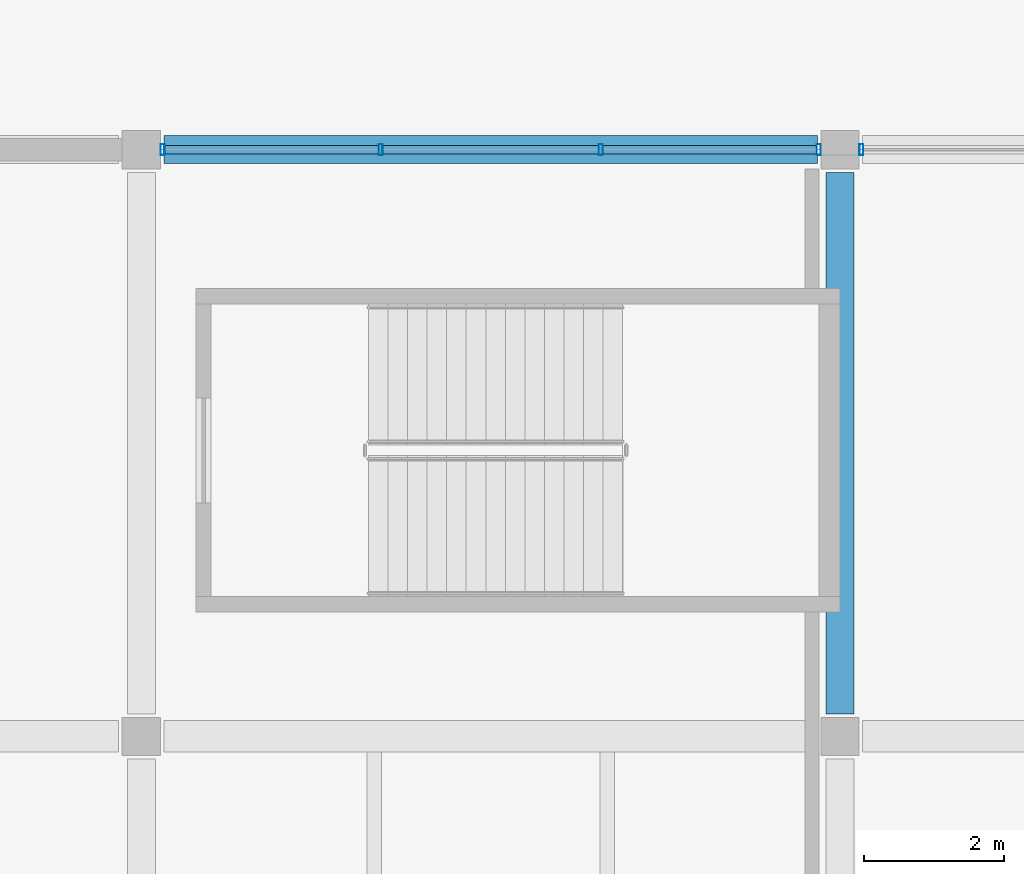
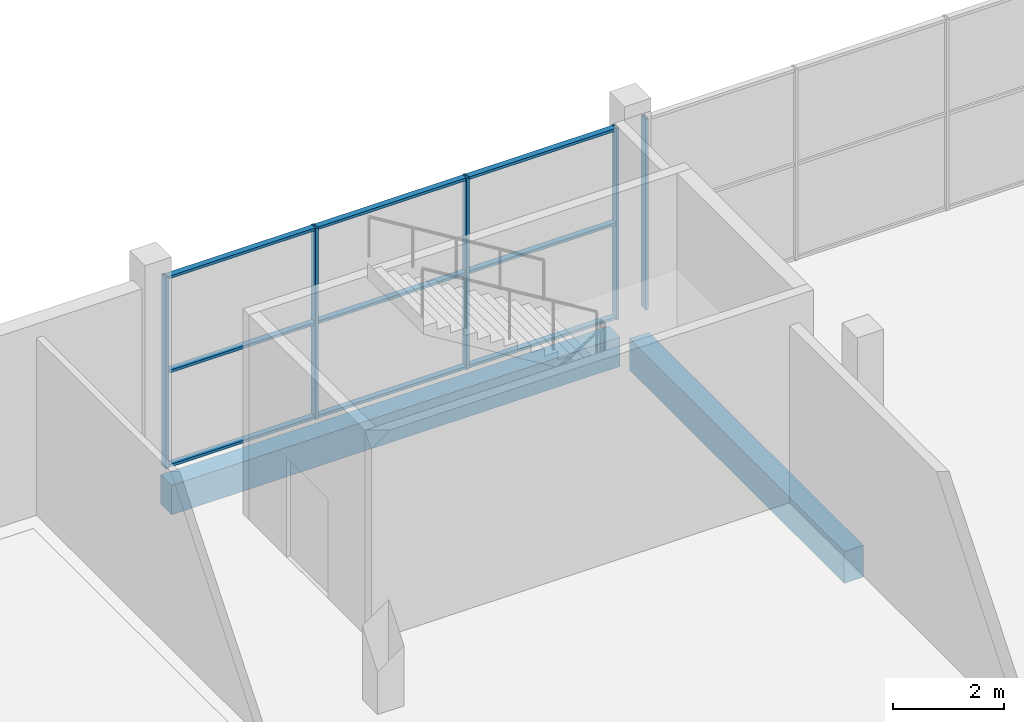
# One storey, part 77 of 130: 14 members, 2 beams, 2 elements without a shape of their own.
"""IFC4 building model written with IfcOpenShell, lengths in metres."""

import ifcopenshell
import ifcopenshell.guid

model = None  # the IFC model being written
_history = None  # IfcOwnerHistory: only IFC2X3 demands one
_inside = {}  # id of a spatial element -> (the spatial element, [elements in it])
_under = {}  # id of a project, library or spatial element -> (it, [spatial elements below it])
_declared = {}  # id of a project -> (the project, [libraries it declares])
_typed = {}  # id of a type object -> (the type object, [elements of that type])
_made_of = {}  # id of a material, layer set ... -> (it, [elements and type objects made of it])


def new_model(schema):
    """Start an empty IFC model of exactly this schema.

    Asked for "IFC4X3", IfcOpenShell would pick the latest addendum, in which some entities
    have other attributes; the version numbers below select the first issue.
    IFC2X3 requires an IfcOwnerHistory on every rooted entity: one is made here for all.
    """
    global model, _history
    if schema == "IFC4X3":
        model = ifcopenshell.file(schema_version=(4, 3, 0, 0))
    else:
        model = ifcopenshell.file(schema=schema)
    _inside.clear()
    _under.clear()
    _declared.clear()
    _typed.clear()
    _made_of.clear()
    _history = None
    if model.schema == "IFC2X3":
        org = make("IfcOrganization", Name="unknown")
        user = make(
            "IfcPersonAndOrganization",
            ThePerson=make("IfcPerson", FamilyName="unknown"),
            TheOrganization=org,
        )
        app = make(
            "IfcApplication",
            ApplicationDeveloper=org,
            Version="unknown",
            ApplicationFullName="unknown",
            ApplicationIdentifier="unknown",
        )
        _history = make(
            "IfcOwnerHistory",
            OwningUser=user,
            OwningApplication=app,
            ChangeAction="ADDED",
            CreationDate=0,
        )
    return model


def make(cls, **values):
    """One entity of the class cls with the attributes given. An attribute that is None is left unset."""
    return model.create_entity(
        cls, **{name: value for name, value in values.items() if value is not None}
    )


def rooted(cls, **values):
    """An entity with a GlobalId (a new one), such as an element, a storey or a relation."""
    return make(cls, GlobalId=ifcopenshell.guid.new(), OwnerHistory=_history, **values)


def si_unit(unit_type, name, prefix=None):
    """IfcSIUnit, for example si_unit("LENGTHUNIT", "METRE", prefix="MILLI")."""
    return make("IfcSIUnit", UnitType=unit_type, Prefix=prefix, Name=name)


def assignment(units):
    """IfcUnitAssignment: the units of a project."""
    return None if units is None else make("IfcUnitAssignment", Units=units)


def point(xyz):
    """IfcCartesianPoint."""
    return None if xyz is None else make("IfcCartesianPoint", Coordinates=xyz)


def direction(xyz):
    """IfcDirection."""
    return None if xyz is None else make("IfcDirection", DirectionRatios=xyz)


def frame(location, z_axis=None, x_axis=None):
    """IfcAxis2Placement3D, a coordinate frame: its origin and axes. An axis left out is left unset."""
    return make(
        "IfcAxis2Placement3D",
        Location=point(location),
        Axis=direction(z_axis),
        RefDirection=direction(x_axis),
    )


def frame_2d(location, x_axis=None):
    """IfcAxis2Placement2D, a coordinate frame in the plane: its origin and x axis."""
    return make(
        "IfcAxis2Placement2D", Location=point(location), RefDirection=direction(x_axis)
    )


def origin():
    """The frame at (0, 0, 0) with its axes left unset."""
    return frame((0.0, 0.0, 0.0))


def origin_2d():
    """The frame at (0, 0) in the plane with its x axis left unset."""
    return frame_2d((0.0, 0.0))


def place(relative_to, where):
    """IfcLocalPlacement: puts the frame where relative to a parent placement (None: the world)."""
    return make(
        "IfcLocalPlacement", PlacementRelTo=relative_to, RelativePlacement=where
    )


def context(
    kind, dimensions, precision=None, world=None, true_north=None, identifier=None
):
    """IfcGeometricRepresentationContext, for example the 3D "Model" context."""
    return make(
        "IfcGeometricRepresentationContext",
        ContextIdentifier=identifier,
        ContextType=kind,
        CoordinateSpaceDimension=dimensions,
        Precision=precision,
        WorldCoordinateSystem=world,
        TrueNorth=true_north,
    )


def subcontext(parent, identifier, kind, view, scale=None):
    """IfcGeometricRepresentationSubContext, for example "Body" below "Model"."""
    return make(
        "IfcGeometricRepresentationSubContext",
        ContextIdentifier=identifier,
        ContextType=kind,
        ParentContext=parent,
        TargetScale=scale,
        TargetView=view,
    )


def project(units=None, contexts=None):
    """IfcProject with its units and contexts."""
    return rooted(
        "IfcProject",
        Name="project",
        RepresentationContexts=contexts,
        UnitsInContext=assignment(units),
    )


def spatial(cls, under=None, at=None, **own):
    """A site, building, storey or space (cls), placed at a placement, below another one or the project."""
    s = rooted(cls, ObjectPlacement=at, **own)
    if under is not None:
        _under.setdefault(under.id(), (under, []))[1].append(s)
    return s


def profile(cls, at=None, kind="AREA", **sizes):
    """A parametric profile (cls). Its sizes go by their IFC names, for example OverallWidth=200.0."""
    return make(cls, ProfileType=kind, Position=at, **sizes)


def rectangle(**sizes):
    """IfcRectangleProfileDef."""
    return profile("IfcRectangleProfileDef", **sizes)


def hollow_rectangle(**sizes):
    """IfcRectangleHollowProfileDef."""
    return profile("IfcRectangleHollowProfileDef", **sizes)


def extrude(swept, where, along, depth):
    """IfcExtrudedAreaSolid: the profile swept, set in the frame where, extruded along a direction by depth."""
    return make(
        "IfcExtrudedAreaSolid",
        SweptArea=swept,
        Position=where,
        ExtrudedDirection=direction(along),
        Depth=depth,
    )


def shape(context_of_items, identifier, shape_type, items):
    """IfcShapeRepresentation: the items that make up one representation, for example the "Body"."""
    return make(
        "IfcShapeRepresentation",
        ContextOfItems=context_of_items,
        RepresentationIdentifier=identifier,
        RepresentationType=shape_type,
        Items=items,
    )


def material(Name=None, Category=None):
    """IfcMaterial."""
    return make("IfcMaterial", Name=Name, Category=Category)


def material_profile(
    of_material, cross_section, Name=None, Category=None, Priority=None
):
    """IfcMaterialProfile: a cross section and its material."""
    return make(
        "IfcMaterialProfile",
        Name=Name,
        Material=of_material,
        Profile=cross_section,
        Priority=Priority,
        Category=Category,
    )


def profile_set(profiles, Name=None, composite=None):
    """IfcMaterialProfileSet."""
    return make(
        "IfcMaterialProfileSet",
        Name=Name,
        MaterialProfiles=profiles,
        CompositeProfile=composite,
    )


def made_of(thing, what):
    """Note that an element or type object is made of a material, layer set ...; save() writes the relation."""
    if what is not None:
        _made_of.setdefault(what.id(), (what, []))[1].append(thing)
    return thing


def type_object(cls, material=None, **own):
    """A type object (cls), such as IfcWallType, which elements share."""
    return made_of(rooted(cls, **own), material)


def element(
    cls,
    number,
    at=None,
    inside=None,
    cuts=None,
    type_object=None,
    material=None,
    context=None,
    identifier="Body",
    shape_type=None,
    held_by="IfcProductDefinitionShape",
    body=None,
    shapes=None,
    **own,
):
    """One element of the class cls, such as IfcWall. Its Tag is "e" and its number.

    at: its placement. inside: the storey or other place that contains it. cuts: it is an
    opening in that element (IfcRelVoidsElement). A single representation is given by context,
    identifier, shape_type and body (its items); several are given by shapes. held_by: the class
    of the entity that holds the representations. save() writes the other relations.
    """
    e = rooted(cls, Tag="e%d" % number, ObjectPlacement=at, **own)
    if body is not None:
        shapes = [shape(context, identifier, shape_type, body)]
    if shapes is not None:
        e.Representation = make(held_by, Representations=shapes)
    if inside is not None:
        _inside.setdefault(inside.id(), (inside, []))[1].append(e)
    if cuts is not None:
        rooted(
            "IfcRelVoidsElement", RelatingBuildingElement=cuts, RelatedOpeningElement=e
        )
    if type_object is not None:
        _typed.setdefault(type_object.id(), (type_object, []))[1].append(e)
    return made_of(e, material)


def aggregate(whole, parts):
    """IfcRelAggregates: a whole, such as a stair, and the parts it consists of."""
    return rooted("IfcRelAggregates", RelatingObject=whole, RelatedObjects=parts)


def save(model, path):
    """Write the relations noted so far, then the file.

    IfcRelAggregates (storeys below a building ...), IfcRelContainedInSpatialStructure (elements
    in a storey), IfcRelDefinesByType, IfcRelAssociatesMaterial and IfcRelDeclares: one each for
    every whole, place, type object, material and project.
    """
    for whole, parts in _under.values():
        aggregate(whole, parts)
    for where, things in _inside.values():
        rooted(
            "IfcRelContainedInSpatialStructure",
            RelatedElements=things,
            RelatingStructure=where,
        )
    for kind, things in _typed.values():
        rooted("IfcRelDefinesByType", RelatedObjects=things, RelatingType=kind)
    for what, things in _made_of.values():
        rooted("IfcRelAssociatesMaterial", RelatedObjects=things, RelatingMaterial=what)
    for by, libraries in _declared.values():
        rooted("IfcRelDeclares", RelatingContext=by, RelatedDefinitions=libraries)
    model.write(path)


model = new_model("IFC4")

# Units and contexts
model_context = context("Model", 3, precision=1e-05, world=origin(), true_north=direction((0.0, 1.0)))
body_context = subcontext(model_context, "Body", "Model", "MODEL_VIEW")
ifc_project = project(units=[si_unit("LENGTHUNIT", "METRE"), si_unit("AREAUNIT", "SQUARE_METRE"), si_unit("VOLUMEUNIT", "CUBIC_METRE"), si_unit("PLANEANGLEUNIT", "RADIAN"), si_unit("MASSUNIT", "GRAM", prefix="KILO"), si_unit("THERMODYNAMICTEMPERATUREUNIT", "KELVIN")], contexts=[model_context])

# Site, building, storey
site_placement = place(None, origin())
site = spatial("IfcSite", under=ifc_project, at=site_placement, CompositionType="ELEMENT")
building_placement = place(site_placement, origin())
building = spatial("IfcBuilding", under=site, at=building_placement, Name="Nduvali Passage Aquatics Centre", CompositionType="ELEMENT")
storey_placement = place(building_placement, origin())
storey = spatial("IfcBuildingStorey", under=building, at=storey_placement, Name="L00", CompositionType="ELEMENT", Elevation=0.0)

# Curtain wall, members
ifc_material_1 = material(Name="Aluminium EN AW-6063 T6", Category="aluminium")
curtain_wall_type = type_object("IfcCurtainWallType", Name="ENV-CW-PASS", PredefinedType="NOTDEFINED", material=ifc_material_1)
curtain_wall_1_placement = place(storey_placement, origin())
curtain_wall_1 = element("IfcCurtainWall", 1, at=curtain_wall_1_placement, inside=storey, type_object=curtain_wall_type, Name="L00 North Cafe CW 095", PredefinedType="NOTDEFINED")
ifc_material_profile_1 = material_profile(ifc_material_1, hollow_rectangle(XDim=0.06005859375, YDim=0.159912109375, WallThickness=0.00390625, at=origin_2d()), Name="ALU MULLION 60x160x4")
ifc_profile_set_1 = profile_set([ifc_material_profile_1], Name="Aluminium EN AW-6063 T6")
member_type_1 = type_object("IfcMemberType", Name="ENV-MEM-MUL60", PredefinedType="MULLION", material=ifc_profile_set_1)
member_1_placement = place(storey_placement, frame((148.304931640625, 92.39990234375, 0.0), z_axis=(0.0, 0.0, 1.0), x_axis=(1.0, 0.0, 0.0)))
member_1 = element("IfcMember", 2, at=member_1_placement, type_object=member_type_1, Name="North Cafe CW Mullion 1", PredefinedType="MULLION", context=body_context, shape_type="SweptSolid", body=[
    extrude(hollow_rectangle(XDim=0.06005859375, YDim=0.159912109375, WallThickness=0.00390625, at=origin_2d()), origin(), (0.0, 0.0, 1.0), 4.216064453125),
])
member_2_placement = place(storey_placement, frame((151.425048828125, 92.39990234375, 0.0), z_axis=(0.0, 0.0, 1.0), x_axis=(1.0, 0.0, 0.0)))
member_2 = element("IfcMember", 3, at=member_2_placement, type_object=member_type_1, Name="North Cafe CW Mullion 2", PredefinedType="MULLION", context=body_context, shape_type="SweptSolid", body=[
    extrude(hollow_rectangle(XDim=0.06005859375, YDim=0.159912109375, WallThickness=0.00390625, at=origin_2d()), origin(), (0.0, 0.0, 1.0), 4.216064453125),
])
member_3_placement = place(storey_placement, frame((154.574951171875, 92.39990234375, 0.0), z_axis=(0.0, 0.0, 1.0), x_axis=(1.0, 0.0, 0.0)))
member_3 = element("IfcMember", 4, at=member_3_placement, type_object=member_type_1, Name="North Cafe CW Mullion 3", PredefinedType="MULLION", context=body_context, shape_type="SweptSolid", body=[
    extrude(hollow_rectangle(XDim=0.06005859375, YDim=0.159912109375, WallThickness=0.00390625, at=origin_2d()), origin(), (0.0, 0.0, 1.0), 4.216064453125),
])
member_4_placement = place(storey_placement, frame((157.695068359375, 92.39990234375, 0.0), z_axis=(0.0, 0.0, 1.0), x_axis=(1.0, 0.0, 0.0)))
member_4 = element("IfcMember", 5, at=member_4_placement, type_object=member_type_1, Name="North Cafe CW Mullion 4", PredefinedType="MULLION", context=body_context, shape_type="SweptSolid", body=[
    extrude(hollow_rectangle(XDim=0.06005859375, YDim=0.159912109375, WallThickness=0.00390625, at=origin_2d()), origin(), (0.0, 0.0, 1.0), 4.216064453125),
])

# Curtain wall, member
curtain_wall_2_placement = place(storey_placement, origin())
curtain_wall_2 = element("IfcCurtainWall", 6, at=curtain_wall_2_placement, inside=storey, type_object=curtain_wall_type, Name="L00 North Cafe CW 097", PredefinedType="NOTDEFINED")
member_5_placement = place(storey_placement, frame((158.304931640625, 92.39990234375, 0.0), z_axis=(0.0, 0.0, 1.0), x_axis=(1.0, 0.0, 0.0)))
member_5 = element("IfcMember", 7, at=member_5_placement, type_object=member_type_1, Name="North Cafe CW Mullion 1", PredefinedType="MULLION", context=body_context, shape_type="SweptSolid", body=[
    extrude(hollow_rectangle(XDim=0.06005859375, YDim=0.159912109375, WallThickness=0.00390625, at=origin_2d()), origin(), (0.0, 0.0, 1.0), 4.216064453125),
])
aggregate(curtain_wall_2, [member_5])

# Member
ifc_material_profile_2 = material_profile(ifc_material_1, hollow_rectangle(XDim=0.1201171875, YDim=0.06005859375, WallThickness=0.00390625, at=origin_2d()), Name="ALU TRANSOM 120x60x4")
ifc_profile_set_2 = profile_set([ifc_material_profile_2], Name="Aluminium EN AW-6063 T6")
member_type_2 = type_object("IfcMemberType", Name="ENV-MEM-TRN60", PredefinedType="USERDEFINED", material=ifc_profile_set_2)
member_6_placement = place(storey_placement, frame((148.3349609375, 92.39990234375, 0.030029296875), z_axis=(1.0, 0.0, 0.0), x_axis=(0.0, 1.0, 0.0)))
member_6 = element("IfcMember", 8, at=member_6_placement, type_object=member_type_2, Name="North Cafe CW Transom B1-R0", ObjectType="TRANSOM", PredefinedType="USERDEFINED", context=body_context, shape_type="SweptSolid", body=[
    extrude(hollow_rectangle(XDim=0.1201171875, YDim=0.06005859375, WallThickness=0.00390625, at=origin_2d()), origin(), (0.0, 0.0, 1.0), 3.06005859375),
])

member_7_placement = place(storey_placement, frame((148.3349609375, 92.39990234375, 2.10791015625), z_axis=(1.0, 0.0, 0.0), x_axis=(0.0, 1.0, 0.0)))
member_7 = element("IfcMember", 9, at=member_7_placement, type_object=member_type_2, Name="North Cafe CW Transom B1-R1", ObjectType="TRANSOM", PredefinedType="USERDEFINED", context=body_context, shape_type="SweptSolid", body=[
    extrude(hollow_rectangle(XDim=0.1201171875, YDim=0.06005859375, WallThickness=0.00390625, at=origin_2d()), origin(), (0.0, 0.0, 1.0), 3.06005859375),
])

member_8_placement = place(storey_placement, frame((148.3349609375, 92.39990234375, 4.18603515625), z_axis=(1.0, 0.0, 0.0), x_axis=(0.0, 1.0, 0.0)))
member_8 = element("IfcMember", 10, at=member_8_placement, type_object=member_type_2, Name="North Cafe CW Transom B1-R2", ObjectType="TRANSOM", PredefinedType="USERDEFINED", context=body_context, shape_type="SweptSolid", body=[
    extrude(hollow_rectangle(XDim=0.1201171875, YDim=0.06005859375, WallThickness=0.00390625, at=origin_2d()), origin(), (0.0, 0.0, 1.0), 3.06005859375),
])

member_9_placement = place(storey_placement, frame((151.455078125, 92.39990234375, 0.030029296875), z_axis=(1.0, 0.0, 0.0), x_axis=(0.0, 1.0, 0.0)))
member_9 = element("IfcMember", 11, at=member_9_placement, type_object=member_type_2, Name="North Cafe CW Transom B2-R0", ObjectType="TRANSOM", PredefinedType="USERDEFINED", context=body_context, shape_type="SweptSolid", body=[
    extrude(hollow_rectangle(XDim=0.1201171875, YDim=0.06005859375, WallThickness=0.00390625, at=origin_2d()), origin(), (0.0, 0.0, 1.0), 3.08984375),
])

member_10_placement = place(storey_placement, frame((151.455078125, 92.39990234375, 2.10791015625), z_axis=(1.0, 0.0, 0.0), x_axis=(0.0, 1.0, 0.0)))
member_10 = element("IfcMember", 12, at=member_10_placement, type_object=member_type_2, Name="North Cafe CW Transom B2-R1", ObjectType="TRANSOM", PredefinedType="USERDEFINED", context=body_context, shape_type="SweptSolid", body=[
    extrude(hollow_rectangle(XDim=0.1201171875, YDim=0.06005859375, WallThickness=0.00390625, at=origin_2d()), origin(), (0.0, 0.0, 1.0), 3.08984375),
])

member_11_placement = place(storey_placement, frame((151.455078125, 92.39990234375, 4.18603515625), z_axis=(1.0, 0.0, 0.0), x_axis=(0.0, 1.0, 0.0)))
member_11 = element("IfcMember", 13, at=member_11_placement, type_object=member_type_2, Name="North Cafe CW Transom B2-R2", ObjectType="TRANSOM", PredefinedType="USERDEFINED", context=body_context, shape_type="SweptSolid", body=[
    extrude(hollow_rectangle(XDim=0.1201171875, YDim=0.06005859375, WallThickness=0.00390625, at=origin_2d()), origin(), (0.0, 0.0, 1.0), 3.08984375),
])

member_12_placement = place(storey_placement, frame((154.60498046875, 92.39990234375, 0.030029296875), z_axis=(1.0, 0.0, 0.0), x_axis=(0.0, 1.0, 0.0)))
member_12 = element("IfcMember", 14, at=member_12_placement, type_object=member_type_2, Name="North Cafe CW Transom B3-R0", ObjectType="TRANSOM", PredefinedType="USERDEFINED", context=body_context, shape_type="SweptSolid", body=[
    extrude(hollow_rectangle(XDim=0.1201171875, YDim=0.06005859375, WallThickness=0.00390625, at=origin_2d()), origin(), (0.0, 0.0, 1.0), 3.06005859375),
])

member_13_placement = place(storey_placement, frame((154.60498046875, 92.39990234375, 2.10791015625), z_axis=(1.0, 0.0, 0.0), x_axis=(0.0, 1.0, 0.0)))
member_13 = element("IfcMember", 15, at=member_13_placement, type_object=member_type_2, Name="North Cafe CW Transom B3-R1", ObjectType="TRANSOM", PredefinedType="USERDEFINED", context=body_context, shape_type="SweptSolid", body=[
    extrude(hollow_rectangle(XDim=0.1201171875, YDim=0.06005859375, WallThickness=0.00390625, at=origin_2d()), origin(), (0.0, 0.0, 1.0), 3.06005859375),
])

member_14_placement = place(storey_placement, frame((154.60498046875, 92.39990234375, 4.18603515625), z_axis=(1.0, 0.0, 0.0), x_axis=(0.0, 1.0, 0.0)))
member_14 = element("IfcMember", 16, at=member_14_placement, type_object=member_type_2, Name="North Cafe CW Transom B3-R2", ObjectType="TRANSOM", PredefinedType="USERDEFINED", context=body_context, shape_type="SweptSolid", body=[
    extrude(hollow_rectangle(XDim=0.1201171875, YDim=0.06005859375, WallThickness=0.00390625, at=origin_2d()), origin(), (0.0, 0.0, 1.0), 3.06005859375),
])

aggregate(curtain_wall_1, [member_1, member_2, member_3, member_4, member_6, member_7, member_8, member_9, member_10, member_11, member_12, member_13, member_14])

# Beams
ifc_material_2 = material(Name="Concrete C40/50", Category="concrete")
ifc_material_profile_3 = material_profile(ifc_material_2, rectangle(XDim=0.39990234375, YDim=0.699951171875, at=origin_2d()), Name="RC 400x700")
ifc_profile_set_3 = profile_set([ifc_material_profile_3], Name="Concrete C40/50")
beam_type_1 = type_object("IfcBeamType", Name="STR-BM-RC4070", PredefinedType="BEAM", material=ifc_profile_set_3)
beam_1_placement = place(storey_placement, frame((158.0, 84.324951171875, -0.64990234375), z_axis=(0.0, 1.0, 0.0), x_axis=(-1.0, 0.0, 0.0)))
element("IfcBeam", 17, at=beam_1_placement, inside=storey, type_object=beam_type_1, Name="L00 Primary Y-Girder B3A-0246", PredefinedType="BEAM", context=body_context, shape_type="SweptSolid", body=[
    extrude(rectangle(XDim=0.39990234375, YDim=0.699951171875, at=origin_2d()), origin(), (0.0, 0.0, 1.0), 7.75),
])
ifc_material_profile_4 = material_profile(ifc_material_2, rectangle(XDim=0.39990234375, YDim=0.64990234375, at=origin_2d()), Name="RC 400x650")
ifc_profile_set_4 = profile_set([ifc_material_profile_4], Name="Concrete C40/50")
beam_type_2 = type_object("IfcBeamType", Name="STR-SPN-RC4065-EXT", PredefinedType="SPANDREL", material=ifc_profile_set_4)
beam_2_placement = place(storey_placement, frame((148.324951171875, 92.39990234375, -0.625), z_axis=(1.0, 0.0, 0.0), x_axis=(0.0, 1.0, 0.0)))
element("IfcBeam", 18, at=beam_2_placement, inside=storey, type_object=beam_type_2, Name="L00 Primary X-Girder SP1E-0093", PredefinedType="SPANDREL", context=body_context, shape_type="SweptSolid", body=[
    extrude(rectangle(XDim=0.39990234375, YDim=0.64990234375, at=origin_2d()), origin(), (0.0, 0.0, 1.0), 9.35009765625),
])

save(model, "model.ifc")
